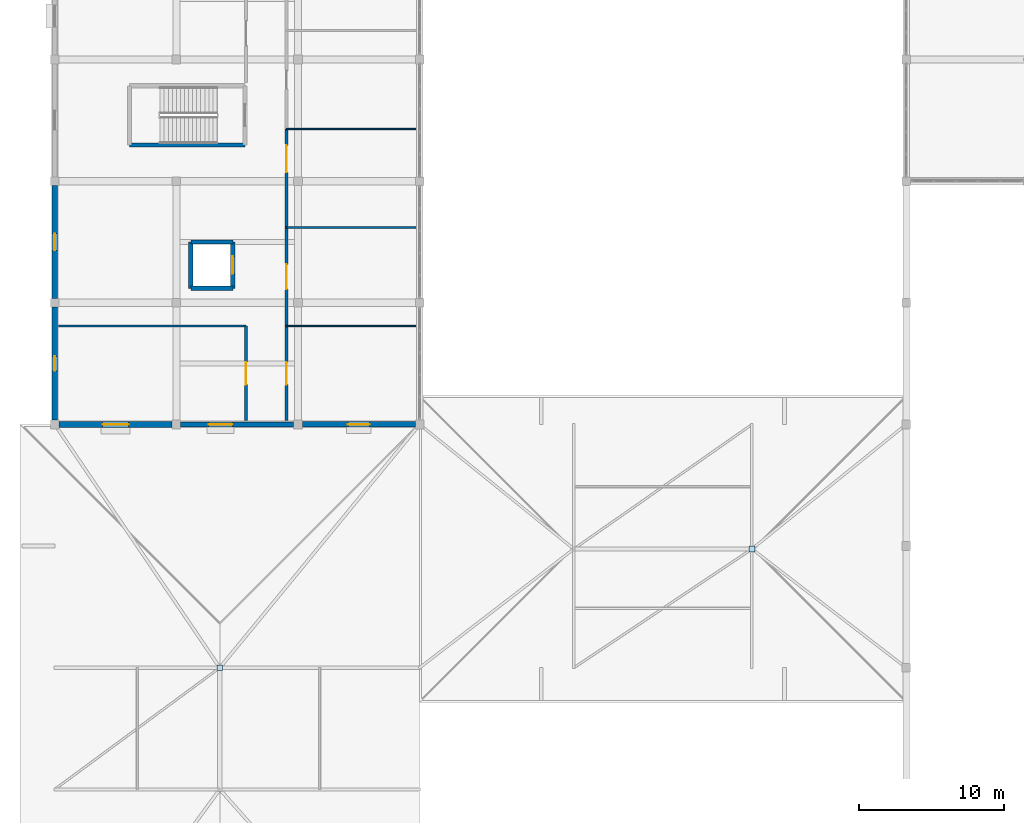
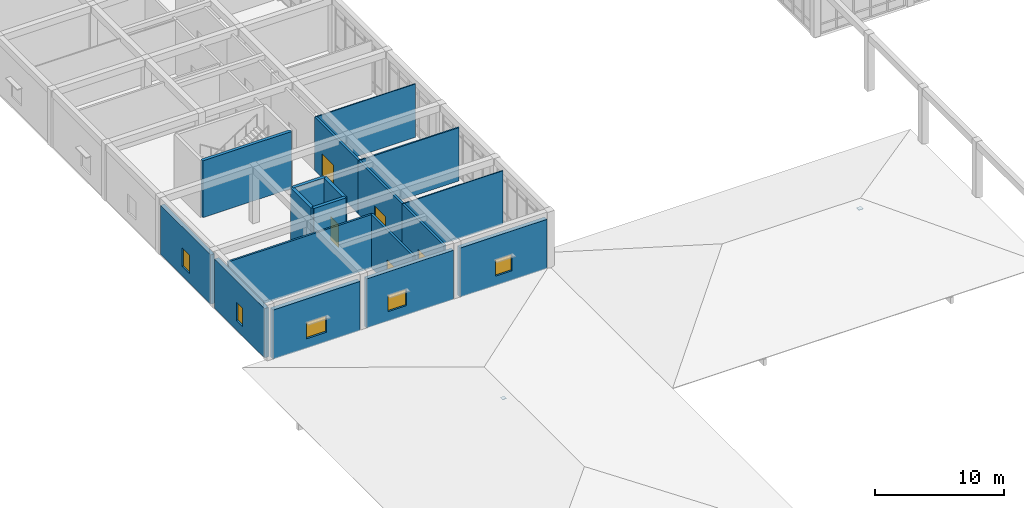
# One storey, part 52 of 89: 18 walls, 5 doors, 5 windows, 2 plates, 10 openings.
"""IFC4 building model written with IfcOpenShell, lengths in metres."""

from ifc_helpers import new_model, si_unit, direction, frame, frame_2d, origin, origin_2d, place, context, subcontext, project, spatial, rectangle, extrude, material, layer, layer_set, type_object, element, fill, save


model = new_model("IFC4")

# Units and contexts
model_context = context("Model", 3, precision=1e-05, world=origin(), true_north=direction((0.0, 1.0)))
body_context = subcontext(model_context, "Body", "Model", "MODEL_VIEW")
ifc_project = project(units=[si_unit("LENGTHUNIT", "METRE"), si_unit("AREAUNIT", "SQUARE_METRE"), si_unit("VOLUMEUNIT", "CUBIC_METRE"), si_unit("PLANEANGLEUNIT", "RADIAN"), si_unit("MASSUNIT", "GRAM", prefix="KILO")], contexts=[model_context])

# Site, building, storey
site_placement = place(None, origin())
site = spatial("IfcSite", under=ifc_project, at=site_placement, CompositionType="ELEMENT")
building_placement = place(site_placement, origin())
building = spatial("IfcBuilding", under=site, at=building_placement, Name="Varncliffe General Hospital", CompositionType="ELEMENT")
storey_placement = place(building_placement, frame((0.0, 0.0, 10.800048828125)))
storey = spatial("IfcBuildingStorey", under=building, at=storey_placement, Name="L02", CompositionType="ELEMENT", Elevation=10.800048828125)

# Plates
ifc_material_1 = material(Name="Steel S355 (CSA G40.21 350W)", Category="steel")
ifc_layer_1 = layer(ifc_material_1, 0.031982421875)
ifc_layer_set_1 = layer_set([ifc_layer_1], Name="Steel S355 (CSA G40.21 350W)")
plate_type_1 = type_object("IfcPlateType", Name="Steel Gusset and End Plate GP16 (32mm)", PredefinedType="SHEET", material=ifc_layer_set_1)
plate_1_placement = place(storey_placement, frame((48.14990234375, 32.199951171875, 2.666015625), z_axis=(0.0, 0.0, 1.0), x_axis=(1.0, 0.0, 0.0)))
element("IfcPlate", 1, at=plate_1_placement, inside=storey, type_object=plate_type_1, Name="L02 RF-V2-S Lateral Brace Gusset Plate 1", PredefinedType="SHEET", context=body_context, shape_type="SweptSolid", body=[
    extrude(rectangle(XDim=0.39990234375, YDim=0.39990234375, at=origin_2d()), origin(), (0.0, 0.0, 1.0), 0.031982421875),
])
ifc_layer_2 = layer(ifc_material_1, 0.02392578125)
ifc_layer_set_2 = layer_set([ifc_layer_2], Name="Steel S355 (CSA G40.21 350W)")
plate_type_2 = type_object("IfcPlateType", Name="Steel Gusset and End Plate GP25 (24mm)", PredefinedType="SHEET", material=ifc_layer_set_2)
plate_2_placement = place(storey_placement, frame((11.39990234375, 24.0, 2.506103515625), z_axis=(0.0, 0.0, 1.0), x_axis=(1.0, 0.0, 0.0)))
element("IfcPlate", 2, at=plate_2_placement, inside=storey, type_object=plate_type_2, Name="L02 RF-V2-W Lateral Brace Gusset Plate 1", PredefinedType="SHEET", context=body_context, shape_type="SweptSolid", body=[
    extrude(rectangle(XDim=0.3798828125, YDim=0.3798828125, at=origin_2d()), origin(), (0.0, 0.0, 1.0), 0.02392578125),
])

# Wall, opening, window
ifc_material_2 = material(Name="Precast concrete C40/50 with insulated cream lime-cement stucco", Category="concrete")
ifc_layer_3 = layer(ifc_material_2, 0.3798828125)
ifc_layer_set_3 = layer_set([ifc_layer_3], Name="Precast concrete C40/50 with insulated cream lime-cement stucco")
wall_type_1 = type_object("IfcWallType", Name="Exterior Insulated Stucco Wall EW26 (380mm)", PredefinedType="SOLIDWALL", material=ifc_layer_set_3)
wall_1_placement = place(storey_placement, frame((24.902099609375, 40.800048828125, 0.0), z_axis=(0.0, 0.0, 1.0), x_axis=(-1.0, 0.0, 0.0)))
wall_1 = element("IfcWall", 3, at=wall_1_placement, inside=storey, type_object=wall_type_1, Name="L02 Exterior Stucco Wall EW26-221", PredefinedType="SOLIDWALL", context=body_context, shape_type="SweptSolid", body=[
    extrude(rectangle(XDim=7.80419921875, YDim=0.3798828125, at=frame_2d((3.902099609375, 0.0))), origin(), (0.0, 0.0, 1.0), 4.679931640625),
])
opening_1_placement = place(wall_1_placement, frame((3.152099609375, 0.0, 0.89990234375)))
opening_1 = element("IfcOpeningElement", 4, at=opening_1_placement, cuts=wall_1, Name="Opening WN75", PredefinedType="OPENING", context=body_context, shape_type="SweptSolid", body=[
    extrude(rectangle(XDim=1.5, YDim=1.550048828125, at=frame_2d((0.75, 0.77490234375))), frame((0.0, 0.199951171875, 0.0), z_axis=(0.0, -1.0, 0.0), x_axis=(1.0, 0.0, 0.0)), (0.0, 0.0, 1.0), 0.39990234375),
])
ifc_material_3 = material(Name="Triple low-E argon insulated vision glazing", Category="glass")
window_type_1 = type_object("IfcWindowType", Name="Triple-Glazed Hospital Window WN75 (1500x1550)", PartitioningType="SINGLE_PANEL", PredefinedType="WINDOW", material=ifc_material_3)
window_1_placement = place(opening_1_placement, origin())
window_1 = element("IfcWindow", 5, at=window_1_placement, inside=storey, type_object=window_type_1, Name="L02 Hospital Window WN75-144", OverallHeight=1.550048828125, OverallWidth=1.5, PartitioningType="SINGLE_PANEL", PredefinedType="WINDOW", context=body_context, shape_type="SweptSolid", body=[
    extrude(rectangle(XDim=1.5, YDim=1.550048828125, at=frame_2d((0.75, 0.77490234375))), frame((0.0, 0.030029296875, 0.0), z_axis=(0.0, -1.0, 0.0), x_axis=(1.0, 0.0, 0.0)), (0.0, 0.0, 1.0), 0.06005859375),
])
fill(opening_1, window_1)

wall_2_placement = place(storey_placement, frame((0.0, 41.097900390625, 0.0), z_axis=(0.0, 0.0, 1.0), x_axis=(0.0, 1.0, 0.0)))
wall_2 = element("IfcWall", 6, at=wall_2_placement, inside=storey, type_object=wall_type_1, Name="L02 Exterior Stucco Wall EW26-224", PredefinedType="SOLIDWALL", context=body_context, shape_type="SweptSolid", body=[
    extrude(rectangle(XDim=7.80419921875, YDim=0.3798828125, at=frame_2d((3.902099609375, 0.0))), origin(), (0.0, 0.0, 1.0), 4.679931640625),
])
opening_2_placement = place(wall_2_placement, frame((3.402099609375, 0.0, 0.89990234375)))
opening_2 = element("IfcOpeningElement", 7, at=opening_2_placement, cuts=wall_2, Name="Opening WN53", PredefinedType="OPENING", context=body_context, shape_type="SweptSolid", body=[
    extrude(rectangle(XDim=1.0, YDim=1.75, at=frame_2d((0.5, 0.875))), frame((0.0, 0.199951171875, 0.0), z_axis=(0.0, -1.0, 0.0), x_axis=(1.0, 0.0, 0.0)), (0.0, 0.0, 1.0), 0.39990234375),
])
window_type_2 = type_object("IfcWindowType", Name="Triple-Glazed Hospital Window WN53 (1000x1750)", PartitioningType="SINGLE_PANEL", PredefinedType="WINDOW", material=ifc_material_3)
window_2_placement = place(opening_2_placement, origin())
window_2 = element("IfcWindow", 8, at=window_2_placement, inside=storey, type_object=window_type_2, Name="L02 Hospital Window WN53-147", OverallHeight=1.75, OverallWidth=1.0, PartitioningType="SINGLE_PANEL", PredefinedType="WINDOW", context=body_context, shape_type="SweptSolid", body=[
    extrude(rectangle(XDim=1.0, YDim=1.75, at=frame_2d((0.5, 0.875))), frame((0.0, 0.030029296875, 0.0), z_axis=(0.0, -1.0, 0.0), x_axis=(1.0, 0.0, 0.0)), (0.0, 0.0, 1.0), 0.06005859375),
])
fill(opening_2, window_2)

ifc_layer_4 = layer(ifc_material_2, 0.35009765625)
ifc_layer_set_4 = layer_set([ifc_layer_4], Name="Precast concrete C40/50 with insulated cream lime-cement stucco")
wall_type_2 = type_object("IfcWallType", Name="Exterior Insulated Stucco Wall EW37 (350mm)", PredefinedType="SOLIDWALL", material=ifc_layer_set_4)
wall_3_placement = place(storey_placement, frame((16.501953125, 40.800048828125, 0.0), z_axis=(0.0, 0.0, 1.0), x_axis=(-1.0, 0.0, 0.0)))
wall_3 = element("IfcWall", 9, at=wall_3_placement, inside=storey, type_object=wall_type_2, Name="L02 Exterior Stucco Wall EW37-222", PredefinedType="SOLIDWALL", context=body_context, shape_type="SweptSolid", body=[
    extrude(rectangle(XDim=7.803955078125, YDim=0.35009765625, at=frame_2d((3.90185546875, 0.0))), origin(), (0.0, 0.0, 1.0), 4.679931640625),
])
opening_3_placement = place(wall_3_placement, frame((4.23291015625, 0.0, 0.89990234375)))
opening_3 = element("IfcOpeningElement", 10, at=opening_3_placement, cuts=wall_3, Name="Opening WN20", PredefinedType="OPENING", context=body_context, shape_type="SweptSolid", body=[
    extrude(rectangle(XDim=1.64990234375, YDim=1.550048828125, at=frame_2d((0.824951171875, 0.77490234375))), frame((0.0, 0.18505859375, 0.0), z_axis=(0.0, -1.0, 0.0), x_axis=(1.0, 0.0, 0.0)), (0.0, 0.0, 1.0), 0.3701171875),
])
window_type_3 = type_object("IfcWindowType", Name="Triple-Glazed Hospital Window WN20 (1650x1550)", PartitioningType="DOUBLE_PANEL_VERTICAL", PredefinedType="WINDOW", material=ifc_material_3)
window_3_placement = place(opening_3_placement, origin())
window_3 = element("IfcWindow", 11, at=window_3_placement, inside=storey, type_object=window_type_3, Name="L02 Hospital Window WN20-145", OverallHeight=1.550048828125, OverallWidth=1.64990234375, PartitioningType="DOUBLE_PANEL_VERTICAL", PredefinedType="WINDOW", context=body_context, shape_type="SweptSolid", body=[
    extrude(rectangle(XDim=1.64990234375, YDim=1.550048828125, at=frame_2d((0.824951171875, 0.77490234375))), frame((0.0, 0.030029296875, 0.0), z_axis=(0.0, -1.0, 0.0), x_axis=(1.0, 0.0, 0.0)), (0.0, 0.0, 1.0), 0.06005859375),
])
fill(opening_3, window_3)

wall_4_placement = place(storey_placement, frame((0.0, 49.498046875, 0.0), z_axis=(0.0, 0.0, 1.0), x_axis=(0.0, 1.0, 0.0)))
wall_4 = element("IfcWall", 12, at=wall_4_placement, inside=storey, type_object=wall_type_2, Name="L02 Exterior Stucco Wall EW37-225", PredefinedType="SOLIDWALL", context=body_context, shape_type="SweptSolid", body=[
    extrude(rectangle(XDim=7.803955078125, YDim=0.35009765625, at=frame_2d((3.90185546875, 0.0))), origin(), (0.0, 0.0, 1.0), 4.679931640625),
])
opening_4_placement = place(wall_4_placement, frame((3.326904296875, 0.0, 0.89990234375)))
opening_4 = element("IfcOpeningElement", 13, at=opening_4_placement, cuts=wall_4, Name="Opening WN60", PredefinedType="OPENING", context=body_context, shape_type="SweptSolid", body=[
    extrude(rectangle(XDim=1.14990234375, YDim=1.75, at=frame_2d((0.574951171875, 0.875))), frame((0.0, 0.18505859375, 0.0), z_axis=(0.0, -1.0, 0.0), x_axis=(1.0, 0.0, 0.0)), (0.0, 0.0, 1.0), 0.3701171875),
])
window_type_4 = type_object("IfcWindowType", Name="Triple-Glazed Hospital Window WN60 (1150x1750)", PartitioningType="SINGLE_PANEL", PredefinedType="WINDOW", material=ifc_material_3)
window_4_placement = place(opening_4_placement, origin())
window_4 = element("IfcWindow", 14, at=window_4_placement, inside=storey, type_object=window_type_4, Name="L02 Hospital Window WN60-148", OverallHeight=1.75, OverallWidth=1.14990234375, PartitioningType="SINGLE_PANEL", PredefinedType="WINDOW", context=body_context, shape_type="SweptSolid", body=[
    extrude(rectangle(XDim=1.14990234375, YDim=1.75, at=frame_2d((0.574951171875, 0.875))), frame((0.0, 0.030029296875, 0.0), z_axis=(0.0, -1.0, 0.0), x_axis=(1.0, 0.0, 0.0)), (0.0, 0.0, 1.0), 0.06005859375),
])
fill(opening_4, window_4)

ifc_layer_5 = layer(ifc_material_2, 0.39990234375)
ifc_layer_set_5 = layer_set([ifc_layer_5], Name="Precast concrete C40/50 with insulated cream lime-cement stucco")
wall_type_3 = type_object("IfcWallType", Name="Exterior Insulated Stucco Wall EW47 (400mm)", PredefinedType="SOLIDWALL", material=ifc_layer_set_5)
wall_5_placement = place(storey_placement, frame((8.10205078125, 40.800048828125, 0.0), z_axis=(0.0, 0.0, 1.0), x_axis=(-1.0, 0.0, 0.0)))
wall_5 = element("IfcWall", 15, at=wall_5_placement, inside=storey, type_object=wall_type_3, Name="L02 Exterior Stucco Wall EW47-223", PredefinedType="SOLIDWALL", context=body_context, shape_type="SweptSolid", body=[
    extrude(rectangle(XDim=7.803955078125, YDim=0.39990234375, at=frame_2d((3.90185546875, 0.0))), origin(), (0.0, 0.0, 1.0), 4.679931640625),
])
opening_5_placement = place(wall_5_placement, frame((3.001953125, 0.0, 0.89990234375)))
opening_5 = element("IfcOpeningElement", 16, at=opening_5_placement, cuts=wall_5, Name="Opening WN52", PredefinedType="OPENING", context=body_context, shape_type="SweptSolid", body=[
    extrude(rectangle(XDim=1.800048828125, YDim=1.550048828125, at=frame_2d((0.89990234375, 0.77490234375))), frame((0.0, 0.2099609375, 0.0), z_axis=(0.0, -1.0, 0.0), x_axis=(1.0, 0.0, 0.0)), (0.0, 0.0, 1.0), 0.419921875),
])
window_type_5 = type_object("IfcWindowType", Name="Triple-Glazed Hospital Window WN52 (1800x1550)", PartitioningType="DOUBLE_PANEL_VERTICAL", PredefinedType="WINDOW", material=ifc_material_3)
window_5_placement = place(opening_5_placement, origin())
window_5 = element("IfcWindow", 17, at=window_5_placement, inside=storey, type_object=window_type_5, Name="L02 Hospital Window WN52-146", OverallHeight=1.550048828125, OverallWidth=1.800048828125, PartitioningType="DOUBLE_PANEL_VERTICAL", PredefinedType="WINDOW", context=body_context, shape_type="SweptSolid", body=[
    extrude(rectangle(XDim=1.800048828125, YDim=1.550048828125, at=frame_2d((0.89990234375, 0.77490234375))), frame((0.0, 0.030029296875, 0.0), z_axis=(0.0, -1.0, 0.0), x_axis=(1.0, 0.0, 0.0)), (0.0, 0.0, 1.0), 0.06005859375),
])
fill(opening_5, window_5)

# Walls
ifc_material_4 = material(Name="Acoustic clinical gypsum stud partition assembly", Category="gypsum")
ifc_layer_6 = layer(ifc_material_4, 0.1298828125)
ifc_layer_set_6 = layer_set([ifc_layer_6], Name="Acoustic clinical gypsum stud partition assembly")
wall_type_4 = type_object("IfcWallType", Name="Interior Partitioning IW11 (130mm)", PredefinedType="PARTITIONING", material=ifc_layer_set_6)
wall_6_placement = place(storey_placement, frame((16.0, 54.39990234375, 0.0), z_axis=(0.0, 0.0, 1.0), x_axis=(1.0, 0.0, 0.0)))
element("IfcWall", 18, at=wall_6_placement, inside=storey, type_object=wall_type_4, Name="L02 Interior Partition Wall IW11-918", PredefinedType="PARTITIONING", context=body_context, shape_type="SweptSolid", body=[
    extrude(rectangle(XDim=8.93994140625, YDim=0.1298828125, at=frame_2d((4.469970703125, 0.0))), origin(), (0.0, 0.0, 1.0), 5.070068359375),
])
ifc_layer_7 = layer(ifc_material_4, 0.169921875)
ifc_layer_set_7 = layer_set([ifc_layer_7], Name="Acoustic clinical gypsum stud partition assembly")
wall_type_5 = type_object("IfcWallType", Name="Interior Partitioning IW20 (170mm)", PredefinedType="PARTITIONING", material=ifc_layer_set_7)
wall_7_placement = place(storey_placement, frame((0.260009765625, 47.60009765625, 0.0), z_axis=(0.0, 0.0, 1.0), x_axis=(1.0, 0.0, 0.0)))
element("IfcWall", 19, at=wall_7_placement, inside=storey, type_object=wall_type_5, Name="L02 Interior Partition Wall IW20-915", PredefinedType="PARTITIONING", context=body_context, shape_type="SweptSolid", body=[
    extrude(rectangle(XDim=12.93994140625, YDim=0.169921875, at=frame_2d((6.469970703125, 0.0))), origin(), (0.0, 0.0, 1.0), 5.070068359375),
])
ifc_layer_8 = layer(ifc_material_4, 0.090087890625)
ifc_layer_set_8 = layer_set([ifc_layer_8], Name="Acoustic clinical gypsum stud partition assembly")
wall_type_6 = type_object("IfcWallType", Name="Interior Partitioning IW42 (90mm)", PredefinedType="PARTITIONING", material=ifc_layer_set_8)
for number, where, z_axis, x_axis, name in (
    (20, (16.0, 47.60009765625, 0.0), (0.0, 0.0, 1.0), (1.0, 0.0, 0.0), "L02 Interior Partition Wall IW42-916"),
    (21, (16.0, 61.199951171875, 0.0), (0.0, 0.0, 1.0), (1.0, 0.0, 0.0), "L02 Interior Partition Wall IW42-921"),
):
    element("IfcWall", number, at=place(storey_placement, frame(where, z_axis=z_axis, x_axis=x_axis)), inside=storey, type_object=wall_type_6, Name=name, PredefinedType="PARTITIONING", context=body_context, shape_type="SweptSolid", body=[
        extrude(rectangle(XDim=8.93994140625, YDim=0.090087890625, at=frame_2d((4.469970703125, 0.0))), origin(), (0.0, 0.0, 1.0), 5.070068359375),
    ])

# Wall, opening, door
ifc_material_5 = material(Name="Fire-rated gypsum and mineral-wool partition assembly", Category="gypsum")
ifc_layer_9 = layer(ifc_material_5, 0.199951171875)
ifc_layer_set_9 = layer_set([ifc_layer_9], Name="Fire-rated gypsum and mineral-wool partition assembly")
wall_type_7 = type_object("IfcWallType", Name="Interior Partitioning PW63 (200mm)", PredefinedType="PARTITIONING", material=ifc_layer_set_9)
wall_8_placement = place(storey_placement, frame((13.199951171875, 41.06005859375, 0.0), z_axis=(0.0, 0.0, 1.0), x_axis=(0.0, 1.0, 0.0)))
wall_8 = element("IfcWall", 22, at=wall_8_placement, inside=storey, type_object=wall_type_7, Name="L02 Interior Partition Wall PW63-1130", PredefinedType="PARTITIONING", context=body_context, shape_type="SweptSolid", body=[
    extrude(rectangle(XDim=6.5400390625, YDim=0.199951171875, at=frame_2d((3.27001953125, 0.0))), origin(), (0.0, 0.0, 1.0), 5.070068359375),
])
opening_6_placement = place(wall_8_placement, frame((2.4951171875, 0.0, 0.0)))
opening_6 = element("IfcOpeningElement", 23, at=opening_6_placement, cuts=wall_8, Name="Opening DC67", PredefinedType="OPENING", context=body_context, shape_type="SweptSolid", body=[
    extrude(rectangle(XDim=1.550048828125, YDim=2.25, at=frame_2d((0.77490234375, 1.125))), frame((0.0, 0.10986328125, 0.0), z_axis=(0.0, -1.0, 0.0), x_axis=(1.0, 0.0, 0.0)), (0.0, 0.0, 1.0), 0.219970703125),
])
ifc_material_6 = material(Name="Fire-rated hospital steel-frame vision-panel door", Category="steel")
door_type_1 = type_object("IfcDoorType", Name="Interior Hospital Door DC67 (1550x2250)", OperationType="NOTDEFINED", PredefinedType="DOOR", material=ifc_material_6)
door_1_placement = place(opening_6_placement, origin())
door_1 = element("IfcDoor", 24, at=door_1_placement, inside=storey, type_object=door_type_1, Name="L02 Adult Intensive Care Unit Bay 36 Door", OperationType="SINGLE_SWING_LEFT", OverallHeight=2.25, OverallWidth=1.550048828125, PredefinedType="DOOR", context=body_context, shape_type="SweptSolid", body=[
    extrude(rectangle(XDim=1.550048828125, YDim=2.25, at=frame_2d((0.77490234375, 1.125))), frame((0.0, 0.02490234375, 0.0), z_axis=(0.0, -1.0, 0.0), x_axis=(1.0, 0.0, 0.0)), (0.0, 0.0, 1.0), 0.050048828125),
])
fill(opening_6, door_1)

wall_9_placement = place(storey_placement, frame((16.0, 41.06005859375, 0.0), z_axis=(0.0, 0.0, 1.0), x_axis=(0.0, 1.0, 0.0)))
wall_9 = element("IfcWall", 25, at=wall_9_placement, inside=storey, type_object=wall_type_7, Name="L02 Interior Partition Wall PW63-1137", PredefinedType="PARTITIONING", context=body_context, shape_type="SweptSolid", body=[
    extrude(rectangle(XDim=6.5400390625, YDim=0.199951171875, at=frame_2d((3.27001953125, 0.0))), origin(), (0.0, 0.0, 1.0), 5.070068359375),
])
opening_7_placement = place(wall_9_placement, frame((2.4951171875, 0.0, 0.0)))
opening_7 = element("IfcOpeningElement", 26, at=opening_7_placement, cuts=wall_9, Name="Opening DC67", PredefinedType="OPENING", context=body_context, shape_type="SweptSolid", body=[
    extrude(rectangle(XDim=1.550048828125, YDim=2.25, at=frame_2d((0.77490234375, 1.125))), frame((0.0, 0.10986328125, 0.0), z_axis=(0.0, -1.0, 0.0), x_axis=(1.0, 0.0, 0.0)), (0.0, 0.0, 1.0), 0.219970703125),
])
door_2_placement = place(opening_7_placement, frame((1.550048828125, 0.0, 0.0), z_axis=(0.0, 0.0, 1.0), x_axis=(-1.0, 0.0, 0.0)))
door_2 = element("IfcDoor", 27, at=door_2_placement, inside=storey, type_object=door_type_1, Name="L02 Adult Intensive Care Unit Bay 40 Door", OperationType="SINGLE_SWING_RIGHT", OverallHeight=2.25, OverallWidth=1.550048828125, PredefinedType="DOOR", context=body_context, shape_type="SweptSolid", body=[
    extrude(rectangle(XDim=1.550048828125, YDim=2.25, at=frame_2d((0.77490234375, 1.125))), frame((0.0, 0.02490234375, 0.0), z_axis=(0.0, -1.0, 0.0), x_axis=(1.0, 0.0, 0.0)), (0.0, 0.0, 1.0), 0.050048828125),
])
fill(opening_7, door_2)

wall_10_placement = place(storey_placement, frame((16.0, 47.60009765625, 0.0), z_axis=(0.0, 0.0, 1.0), x_axis=(0.0, 1.0, 0.0)))
wall_10 = element("IfcWall", 28, at=wall_10_placement, inside=storey, type_object=wall_type_7, Name="L02 Interior Partition Wall PW63-1138", PredefinedType="PARTITIONING", context=body_context, shape_type="SweptSolid", body=[
    extrude(rectangle(XDim=6.7998046875, YDim=0.199951171875, at=frame_2d((3.39990234375, 0.0))), origin(), (0.0, 0.0, 1.0), 5.070068359375),
])
opening_8_placement = place(wall_10_placement, frame((2.550048828125, 0.0, 0.0)))
opening_8 = element("IfcOpeningElement", 29, at=opening_8_placement, cuts=wall_10, Name="Opening DC50", PredefinedType="OPENING", context=body_context, shape_type="SweptSolid", body=[
    extrude(rectangle(XDim=1.699951171875, YDim=2.300048828125, at=frame_2d((0.85009765625, 1.14990234375))), frame((0.0, 0.10986328125, 0.0), z_axis=(0.0, -1.0, 0.0), x_axis=(1.0, 0.0, 0.0)), (0.0, 0.0, 1.0), 0.219970703125),
])
door_type_2 = type_object("IfcDoorType", Name="Interior Hospital Door DC50 (1700x2300)", OperationType="NOTDEFINED", PredefinedType="DOOR", material=ifc_material_6)
door_3_placement = place(opening_8_placement, frame((1.699951171875, 0.0, 0.0), z_axis=(0.0, 0.0, 1.0), x_axis=(-1.0, 0.0, 0.0)))
door_3 = element("IfcDoor", 30, at=door_3_placement, inside=storey, type_object=door_type_2, Name="L02 Coronary Intensive Care Unit Bay 41 Door", OperationType="SINGLE_SWING_LEFT", OverallHeight=2.300048828125, OverallWidth=1.699951171875, PredefinedType="DOOR", context=body_context, shape_type="SweptSolid", body=[
    extrude(rectangle(XDim=1.699951171875, YDim=2.300048828125, at=frame_2d((0.85009765625, 1.14990234375))), frame((0.0, 0.02490234375, 0.0), z_axis=(0.0, -1.0, 0.0), x_axis=(1.0, 0.0, 0.0)), (0.0, 0.0, 1.0), 0.050048828125),
])
fill(opening_8, door_3)

wall_11_placement = place(storey_placement, frame((16.0, 54.39990234375, 0.0), z_axis=(0.0, 0.0, 1.0), x_axis=(0.0, 1.0, 0.0)))
wall_11 = element("IfcWall", 31, at=wall_11_placement, inside=storey, type_object=wall_type_7, Name="L02 Interior Partition Wall PW63-1139", PredefinedType="PARTITIONING", context=body_context, shape_type="SweptSolid", body=[
    extrude(rectangle(XDim=6.800048828125, YDim=0.199951171875, at=frame_2d((3.39990234375, 0.0))), origin(), (0.0, 0.0, 1.0), 5.070068359375),
])
opening_9_placement = place(wall_11_placement, frame((3.81591796875, 0.0, 0.0)))
opening_9 = element("IfcOpeningElement", 32, at=opening_9_placement, cuts=wall_11, Name="Opening DC38", PredefinedType="OPENING", context=body_context, shape_type="SweptSolid", body=[
    extrude(rectangle(XDim=1.85009765625, YDim=2.300048828125, at=frame_2d((0.925048828125, 1.14990234375))), frame((0.0, 0.10986328125, 0.0), z_axis=(0.0, -1.0, 0.0), x_axis=(1.0, 0.0, 0.0)), (0.0, 0.0, 1.0), 0.219970703125),
])
door_type_3 = type_object("IfcDoorType", Name="Interior Hospital Door DC38 (1850x2300)", OperationType="NOTDEFINED", PredefinedType="DOOR", material=ifc_material_6)
door_4_placement = place(opening_9_placement, frame((1.85009765625, 0.0, 0.0), z_axis=(0.0, 0.0, 1.0), x_axis=(-1.0, 0.0, 0.0)))
door_4 = element("IfcDoor", 33, at=door_4_placement, inside=storey, type_object=door_type_3, Name="L02 Adult Intensive Care Unit Bay 42 Door", OperationType="SINGLE_SWING_RIGHT", OverallHeight=2.300048828125, OverallWidth=1.85009765625, PredefinedType="DOOR", context=body_context, shape_type="SweptSolid", body=[
    extrude(rectangle(XDim=1.85009765625, YDim=2.300048828125, at=frame_2d((0.925048828125, 1.14990234375))), frame((0.0, 0.02490234375, 0.0), z_axis=(0.0, -1.0, 0.0), x_axis=(1.0, 0.0, 0.0)), (0.0, 0.0, 1.0), 0.050048828125),
])
fill(opening_9, door_4)

# Wall
ifc_material_7 = material(Name="Concrete C40/50 (CSA A23.1 40 MPa)", Category="concrete")
ifc_layer_10 = layer(ifc_material_7, 0.300048828125)
ifc_layer_set_10 = layer_set([ifc_layer_10], Name="Concrete C40/50 (CSA A23.1 40 MPa)")
wall_type_8 = type_object("IfcWallType", Name="Reinforced Concrete Core Shear Wall CW12 (300mm)", PredefinedType="SHEAR", material=ifc_layer_set_10)
wall_12_placement = place(storey_placement, frame((9.39990234375, 50.199951171875, 0.0), z_axis=(0.0, 0.0, 1.0), x_axis=(1.0, 0.0, 0.0)))
element("IfcWall", 34, at=wall_12_placement, inside=storey, type_object=wall_type_8, Name="L02 LF06 Elevator Shaft Wall South", PredefinedType="SHEAR", context=body_context, shape_type="SweptSolid", body=[
    extrude(rectangle(XDim=2.900146484375, YDim=0.300048828125, at=frame_2d((1.4501953125, 0.0))), origin(), (0.0, 0.0, 1.0), 5.39990234375),
])

# Wall, opening, door
wall_13_placement = place(storey_placement, frame((12.300048828125, 50.199951171875, 0.0), z_axis=(0.0, 0.0, 1.0), x_axis=(0.0, 1.0, 0.0)))
wall_13 = element("IfcWall", 35, at=wall_13_placement, inside=storey, type_object=wall_type_8, Name="L02 LF06 Elevator Shaft Wall East", PredefinedType="SHEAR", context=body_context, shape_type="SweptSolid", body=[
    extrude(rectangle(XDim=3.199951171875, YDim=0.300048828125, at=frame_2d((1.60009765625, 0.0))), origin(), (0.0, 0.0, 1.0), 5.39990234375),
])
opening_10_placement = place(wall_13_placement, frame((1.0, 0.0, 0.0)))
opening_10 = element("IfcOpeningElement", 36, at=opening_10_placement, cuts=wall_13, Name="Opening LD01", PredefinedType="OPENING", context=body_context, shape_type="SweptSolid", body=[
    extrude(rectangle(XDim=1.199951171875, YDim=2.199951171875, at=frame_2d((0.60009765625, 1.10009765625))), frame((0.0, 0.16015625, 0.0), z_axis=(0.0, -1.0, 0.0), x_axis=(1.0, 0.0, 0.0)), (0.0, 0.0, 1.0), 0.320068359375),
])
ifc_material_8 = material(Name="Brushed stainless-steel sliding elevator landing door", Category="steel")
door_type_4 = type_object("IfcDoorType", Name="Lift Landing Door LD01 (1200x2200)", OperationType="DOUBLE_DOOR_SLIDING", PredefinedType="DOOR", material=ifc_material_8)
door_5_placement = place(opening_10_placement, origin())
door_5 = element("IfcDoor", 37, at=door_5_placement, inside=storey, type_object=door_type_4, Name="Lift Landing Door LF06 L02", OperationType="DOUBLE_DOOR_SLIDING", OverallHeight=2.199951171875, OverallWidth=1.199951171875, PredefinedType="DOOR", context=body_context, shape_type="SweptSolid", body=[
    extrude(rectangle(XDim=1.199951171875, YDim=2.199951171875, at=frame_2d((0.60009765625, 1.10009765625))), frame((0.0, 0.02490234375, 0.0), z_axis=(0.0, -1.0, 0.0), x_axis=(1.0, 0.0, 0.0)), (0.0, 0.0, 1.0), 0.050048828125),
])
fill(opening_10, door_5)

# Walls
wall_14_placement = place(storey_placement, frame((12.300048828125, 53.39990234375, 0.0), z_axis=(0.0, 0.0, 1.0), x_axis=(-1.0, 0.0, 0.0)))
element("IfcWall", 38, at=wall_14_placement, inside=storey, type_object=wall_type_8, Name="L02 LF06 Elevator Shaft Wall North", PredefinedType="SHEAR", context=body_context, shape_type="SweptSolid", body=[
    extrude(rectangle(XDim=2.900146484375, YDim=0.300048828125, at=frame_2d((1.4501953125, 0.0))), origin(), (0.0, 0.0, 1.0), 5.39990234375),
])
wall_15_placement = place(storey_placement, frame((9.39990234375, 53.39990234375, 0.0), z_axis=(0.0, 0.0, 1.0), x_axis=(0.0, -1.0, 0.0)))
element("IfcWall", 39, at=wall_15_placement, inside=storey, type_object=wall_type_8, Name="L02 LF06 Elevator Shaft Wall West", PredefinedType="SHEAR", context=body_context, shape_type="SweptSolid", body=[
    extrude(rectangle(XDim=3.199951171875, YDim=0.300048828125, at=frame_2d((1.60009765625, 0.0))), origin(), (0.0, 0.0, 1.0), 5.39990234375),
])
ifc_layer_11 = layer(ifc_material_7, 0.280029296875)
ifc_layer_set_11 = layer_set([ifc_layer_11], Name="Concrete C40/50 (CSA A23.1 40 MPa)")
wall_type_9 = type_object("IfcWallType", Name="Reinforced Concrete Core Shear Wall CW13 (280mm)", PredefinedType="SHEAR", material=ifc_layer_set_11)
wall_16_placement = place(storey_placement, frame((5.159912109375, 60.110107421875, 0.0), z_axis=(0.0, 0.0, 1.0), x_axis=(1.0, 0.0, 0.0)))
element("IfcWall", 40, at=wall_16_placement, inside=storey, type_object=wall_type_9, Name="L02 ST05 Core Shear Wall R", PredefinedType="SHEAR", context=body_context, shape_type="SweptSolid", body=[
    extrude(rectangle(XDim=7.97998046875, YDim=0.280029296875, at=frame_2d((3.989990234375, 0.0))), origin(), (0.0, 0.0, 1.0), 5.39990234375),
])

save(model, "model.ifc")
